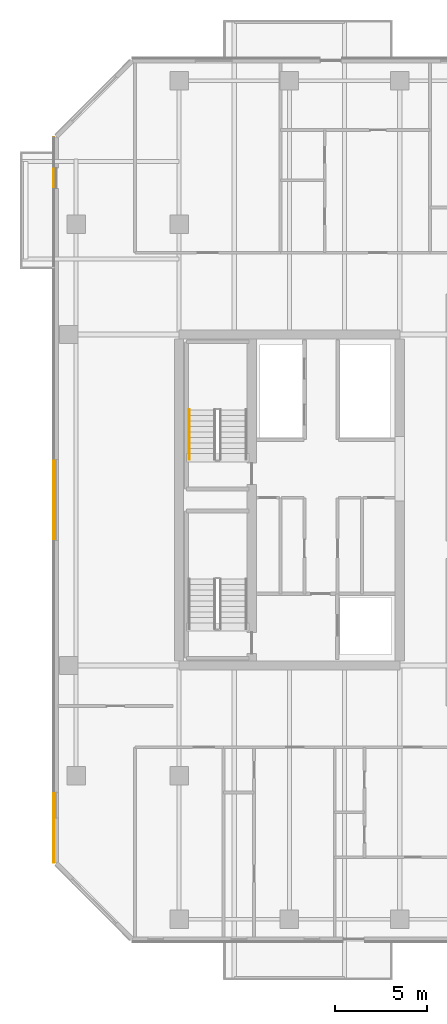
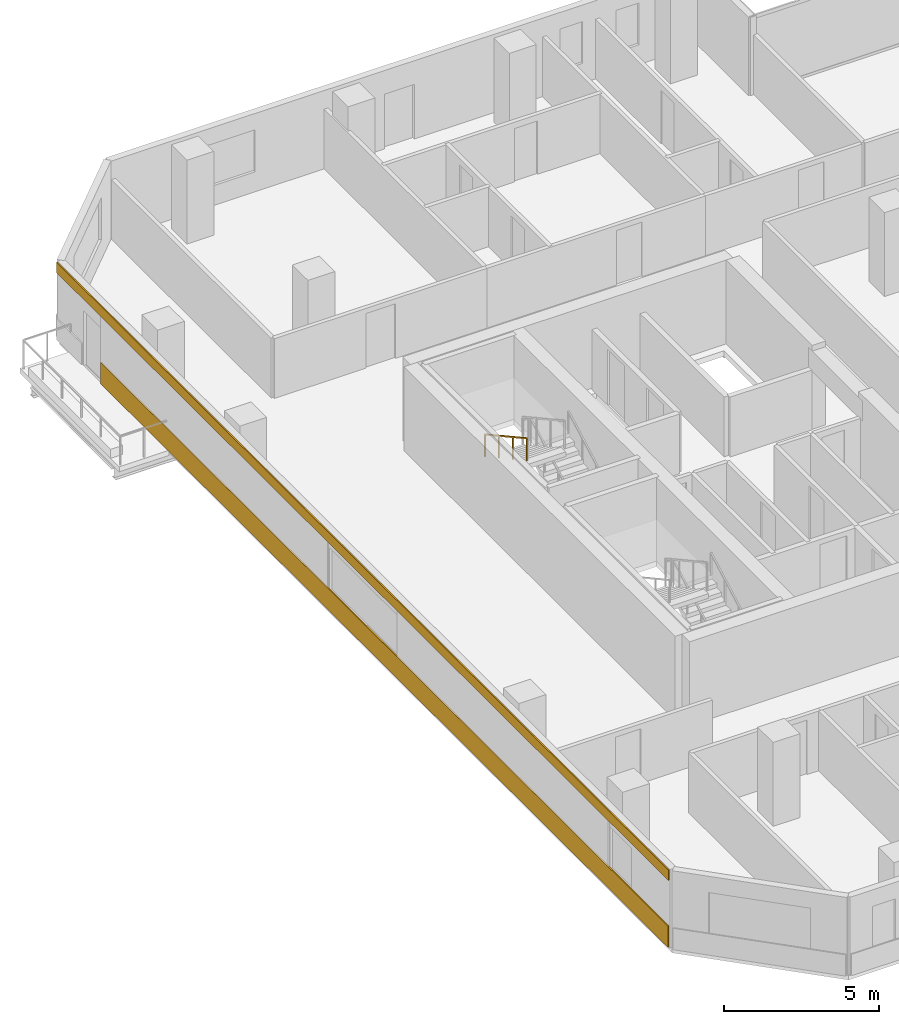
# One storey, part 19 of 23: 2 coverings, 1 railing.
"""IFC4 building model written with IfcOpenShell, lengths in metres."""

from ifc_helpers import new_model, si_unit, direction, frame, origin, origin_2d, place, context, subcontext, project, spatial, rectangle, extrude, material, layer, layer_set, type_object, element, save


model = new_model("IFC4")

# Units and contexts
model_context = context("Model", 3, precision=1e-05, world=origin(), true_north=direction((0.0, 1.0)))
body_context = subcontext(model_context, "Body", "Model", "MODEL_VIEW")
ifc_project = project(units=[si_unit("LENGTHUNIT", "METRE"), si_unit("AREAUNIT", "SQUARE_METRE"), si_unit("VOLUMEUNIT", "CUBIC_METRE"), si_unit("PLANEANGLEUNIT", "RADIAN"), si_unit("MASSUNIT", "GRAM", prefix="KILO")], contexts=[model_context])

# Site, building, storey
site_placement = place(None, origin())
site = spatial("IfcSite", under=ifc_project, at=site_placement, CompositionType="ELEMENT")
building_placement = place(site_placement, origin())
building = spatial("IfcBuilding", under=site, at=building_placement, Name="Tanjung Sevakor Pilgrim Tower", CompositionType="ELEMENT")
storey_placement = place(building_placement, frame((0.0, 0.0, 85.469970703125)))
storey = spatial("IfcBuildingStorey", under=building, at=storey_placement, Name="L23", CompositionType="ELEMENT", Elevation=85.469970703125)

# Coverings
ifc_material_1 = material(Name="Reconstructed Limestone Cladding", Category="masonry")
ifc_layer = layer(ifc_material_1, 0.044921875)
ifc_layer_set = layer_set([ifc_layer], Name="COV-CLAD-LIMESTONE")
covering_type = type_object("IfcCoveringType", Name="COV-CLAD-LIMESTONE", PredefinedType="CLADDING", material=ifc_layer_set)
covering_1_placement = place(storey_placement, frame((17.177490234375, 32.19091796875, 0.009765625), z_axis=(0.0, 0.0, 1.0), x_axis=(0.0, -1.0, 0.0)))
element("IfcCovering", 1, at=covering_1_placement, inside=storey, type_object=covering_type, Name="L23 Warm Limestone Sill Spandrel EW-L23-MAIN-15-2", PredefinedType="CLADDING", context=body_context, shape_type="SweptSolid", body=[
    extrude(rectangle(XDim=36.59814453125, YDim=0.044921875, at=origin_2d()), origin(), (0.0, 0.0, 1.0), 0.840087890625),
])
covering_2_placement = place(storey_placement, frame((17.177490234375, 33.60009765625, 2.66015625), z_axis=(0.0, 0.0, 1.0), x_axis=(0.0, -1.0, 0.0)))
element("IfcCovering", 2, at=covering_2_placement, inside=storey, type_object=covering_type, Name="L23 Warm Limestone Cornice Spandrel EW-L23-MAIN-15", PredefinedType="CLADDING", context=body_context, shape_type="SweptSolid", body=[
    extrude(rectangle(XDim=39.456298828125, YDim=0.044921875, at=origin_2d()), origin(), (0.0, 0.0, 1.0), 0.409912109375),
])

# Railing
ifc_material_2 = material(Name="Steel S355J2", Category="steel")
railing_type = type_object("IfcRailingType", Name="RL-STAIR-HAND", PredefinedType="HANDRAIL", material=ifc_material_2)
railing_placement = place(storey_placement, frame((24.550048828125, 38.5, 1.81494140625)))
element("IfcRailing", 3, at=railing_placement, inside=storey, type_object=railing_type, Name="L23 TS-W2 stair handrail 2", PredefinedType="HANDRAIL", context=body_context, shape_type="SweptSolid", body=[
    extrude(rectangle(XDim=0.0479, YDim=0.0479), frame((0.0, 0.0, 0.8759765625), z_axis=(0.0, -0.876197507361, 0.481952205197), x_axis=(1.0, 0.0, 0.0)), (0.0, 0.0, 1.0), 3.08154296875),
    extrude(rectangle(XDim=0.042, YDim=0.042), origin(), (0.0, 0.0, 1.0), 0.851806640625),
    extrude(rectangle(XDim=0.042, YDim=0.042), frame((0.0, -0.89990234375, 0.4951171875)), (0.0, 0.0, 1.0), 0.851806640625),
    extrude(rectangle(XDim=0.042, YDim=0.042), frame((0.0, -1.800048828125, 0.989990234375)), (0.0, 0.0, 1.0), 0.851806640625),
    extrude(rectangle(XDim=0.042, YDim=0.042), frame((0.0, -2.699951171875, 1.485107421875)), (0.0, 0.0, 1.0), 0.851806640625),
])

save(model, "model.ifc")
